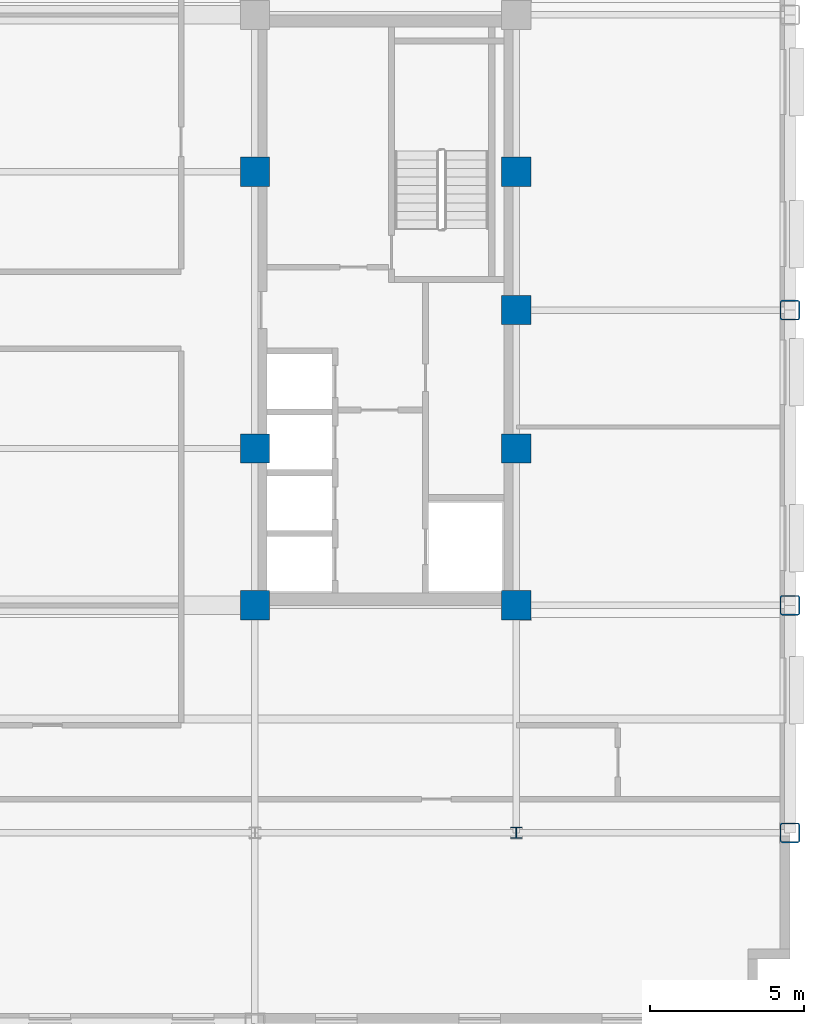
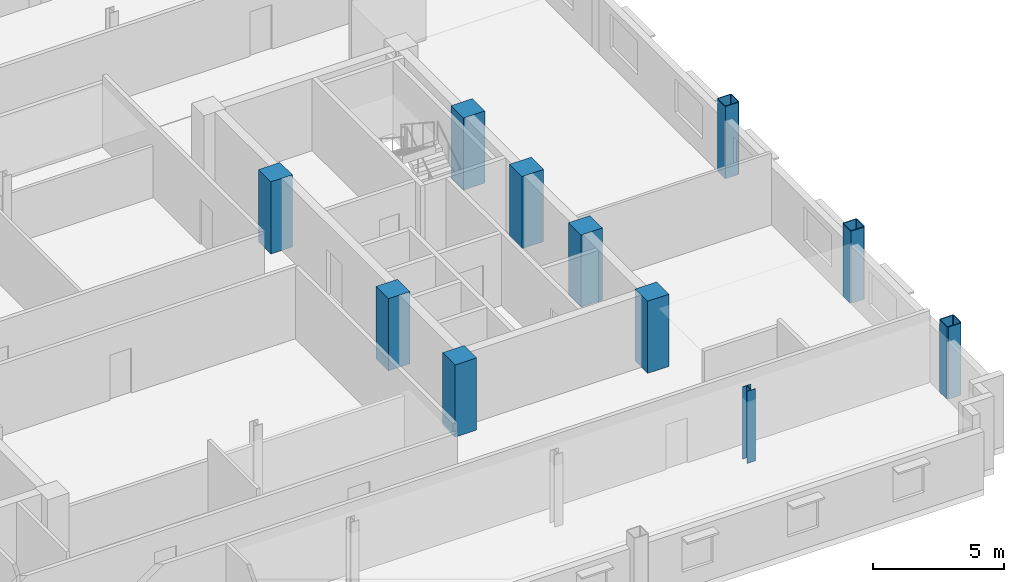
# One storey, part 2 of 14: 11 columns.
"""IFC4 building model written with IfcOpenShell, lengths in metres."""

from ifc_helpers import new_model, si_unit, direction, frame, origin, origin_2d, place, context, subcontext, project, spatial, rectangle, hollow_rectangle, i_section, extrude, material, material_profile, profile_set, type_object, element, save


model = new_model("IFC4")

# Units and contexts
model_context = context("Model", 3, precision=1e-05, world=origin(), true_north=direction((0.0, 1.0)))
body_context = subcontext(model_context, "Body", "Model", "MODEL_VIEW")
ifc_project = project(units=[si_unit("LENGTHUNIT", "METRE"), si_unit("AREAUNIT", "SQUARE_METRE"), si_unit("VOLUMEUNIT", "CUBIC_METRE"), si_unit("PLANEANGLEUNIT", "RADIAN"), si_unit("MASSUNIT", "GRAM", prefix="KILO")], contexts=[model_context])

# Site, building, storey
site_placement = place(None, origin())
site = spatial("IfcSite", under=ifc_project, at=site_placement, CompositionType="ELEMENT")
building_placement = place(site_placement, origin())
building = spatial("IfcBuilding", under=site, at=building_placement, Name="Nuvemarco Arch Tower", CompositionType="ELEMENT")
storey_placement = place(building_placement, frame((0.0, 0.0, 134.800048828125)))
storey = spatial("IfcBuildingStorey", under=building, at=storey_placement, Name="L35", CompositionType="ELEMENT", Elevation=134.800048828125)

# Columns
ifc_material_1 = material(Name="Concrete C50/60", Category="concrete")
ifc_material_profile_1 = material_profile(ifc_material_1, rectangle(XDim=0.949951171875, YDim=0.949951171875, at=origin_2d()), Name="RC-COL-950x950")
ifc_profile_set_1 = profile_set([ifc_material_profile_1], Name="Concrete C50/60")
column_type_1 = type_object("IfcColumnType", Name="COL-CORE-950", PredefinedType="COLUMN", material=ifc_profile_set_1)
for number, where, z_axis, x_axis, name in (
    (1, (9.0, -9.60009765625, 0.0), (0.0, 0.0, 1.0), (1.0, 0.0, 0.0), "L35 column CC_+9.0_-9.6"),
    (2, (9.0, -4.5, 0.0), (0.0, 0.0, 1.0), (1.0, 0.0, 0.0), "L35 column CC_+9.0_-4.5"),
    (3, (9.0, 4.5, 0.0), (0.0, 0.0, 1.0), (1.0, 0.0, 0.0), "L35 column CC_+9.0_+4.5"),
    (4, (17.5, -9.60009765625, 0.0), (0.0, 0.0, 1.0), (1.0, 0.0, 0.0), "L35 column CC_+17.5_-9.6"),
    (5, (17.5, -4.5, 0.0), (0.0, 0.0, 1.0), (1.0, 0.0, 0.0), "L35 column CC_+17.5_-4.5"),
    (6, (17.5, 4.5, 0.0), (0.0, 0.0, 1.0), (1.0, 0.0, 0.0), "L35 column CC_+17.5_+4.5"),
    (7, (17.5, 0.0, 0.0), (0.0, 0.0, 1.0), (1.0, 0.0, 0.0), "L35 column CC_+17.5_+0.0"),
):
    element("IfcColumn", number, at=place(storey_placement, frame(where, z_axis=z_axis, x_axis=x_axis)), inside=storey, type_object=column_type_1, Name=name, PredefinedType="COLUMN", context=body_context, shape_type="SweptSolid", body=[
        extrude(rectangle(XDim=0.949951171875, YDim=0.949951171875, at=origin_2d()), origin(), (0.0, 0.0, 1.0), 3.369873046875),
    ])
ifc_material_2 = material(Name="Steel S355", Category="steel")
ifc_material_profile_2 = material_profile(ifc_material_2, hollow_rectangle(XDim=0.64990234375, YDim=0.64990234375, WallThickness=0.0400390625, InnerFilletRadius=0.0400390625, OuterFilletRadius=0.080078125, at=origin_2d()), Name="SHS650x650x40")
ifc_profile_set_2 = profile_set([ifc_material_profile_2], Name="Steel S355")
column_type_2 = type_object("IfcColumnType", Name="COL-EXO-650", PredefinedType="COLUMN", material=ifc_profile_set_2)
for number, where, z_axis, x_axis, name in (
    (8, (26.39990234375, -17.0, 0.0), (0.0, 0.0, 1.0), (1.0, 0.0, 0.0), "L35 column CX_+26.4_-17.0"),
    (9, (26.39990234375, -9.60009765625, 0.0), (0.0, 0.0, 1.0), (1.0, 0.0, 0.0), "L35 column CX_+26.4_-9.6"),
    (10, (26.39990234375, 0.0, 0.0), (0.0, 0.0, 1.0), (1.0, 0.0, 0.0), "L35 column CX_+26.4_+0.0"),
):
    element("IfcColumn", number, at=place(storey_placement, frame(where, z_axis=z_axis, x_axis=x_axis)), inside=storey, type_object=column_type_2, Name=name, PredefinedType="COLUMN", context=body_context, shape_type="SweptSolid", body=[
        extrude(hollow_rectangle(XDim=0.64990234375, YDim=0.64990234375, WallThickness=0.0400390625, InnerFilletRadius=0.0400390625, OuterFilletRadius=0.080078125, at=origin_2d()), origin(), (0.0, 0.0, 1.0), 3.369873046875),
    ])
ifc_material_profile_3 = material_profile(ifc_material_2, i_section(OverallWidth=0.360107421875, OverallDepth=0.360107421875, WebThickness=0.0205078125, FlangeThickness=0.0205078125, FilletRadius=0.01806640625, at=origin_2d()), Name="HP360x174")
ifc_profile_set_3 = profile_set([ifc_material_profile_3], Name="Steel S355")
column_type_3 = type_object("IfcColumnType", Name="COL-STL-HP360", PredefinedType="COLUMN", material=ifc_profile_set_3)
column_placement = place(storey_placement, frame((17.5, -17.0, 0.0), z_axis=(0.0, 0.0, 1.0), x_axis=(1.0, 0.0, 0.0)))
element("IfcColumn", 11, at=column_placement, inside=storey, type_object=column_type_3, Name="L35 column CI_+17.5_-17.0", PredefinedType="COLUMN", context=body_context, shape_type="SweptSolid", body=[
    extrude(i_section(OverallWidth=0.360107421875, OverallDepth=0.360107421875, WebThickness=0.0205078125, FlangeThickness=0.0205078125, FilletRadius=0.01806640625, at=origin_2d()), origin(), (0.0, 0.0, 1.0), 3.369873046875),
])

save(model, "model.ifc")
